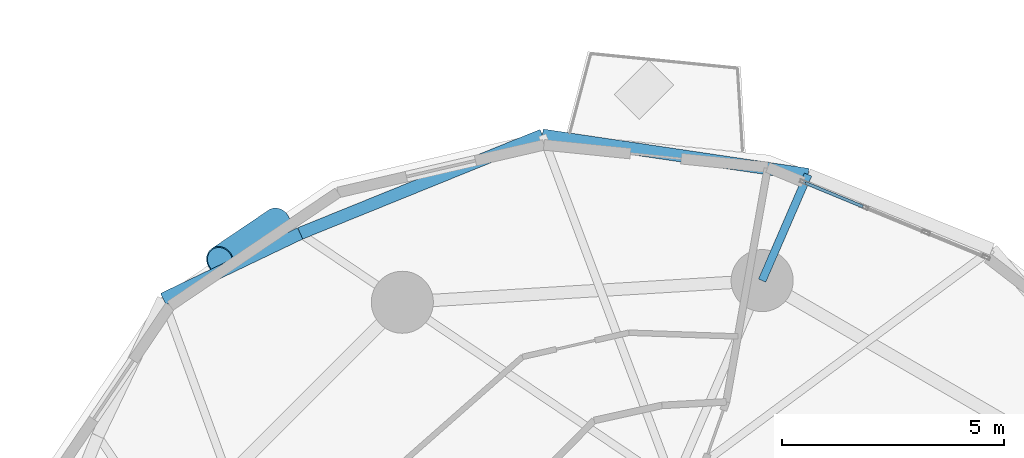
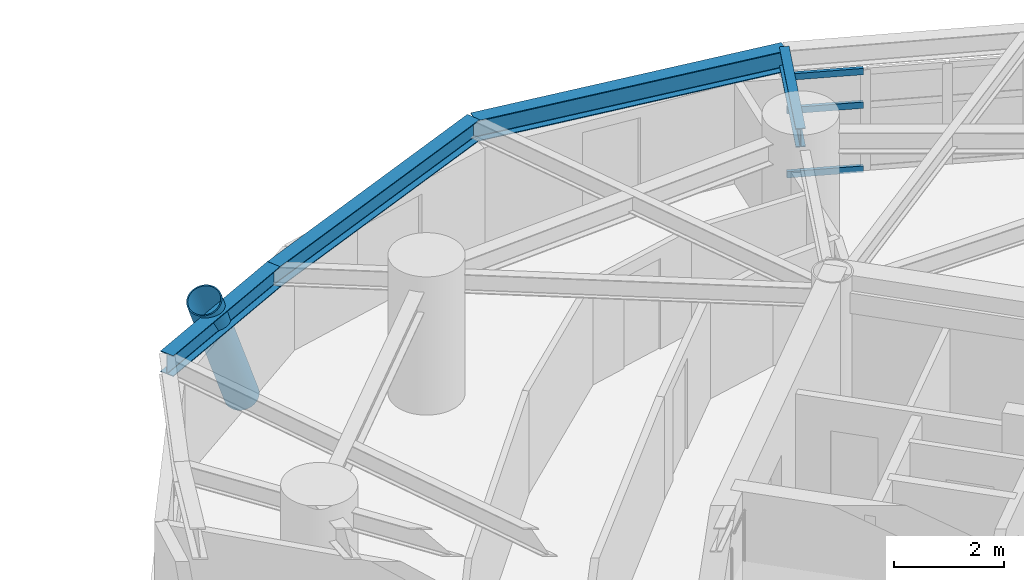
# One storey, part 6 of 19: 4 beams, 4 members, 1 element without a shape of its own.
"""IFC4 building model written with IfcOpenShell, lengths in metres."""

from ifc_helpers import new_model, si_unit, direction, frame, origin, origin_2d, place, context, subcontext, project, spatial, hollow_rectangle, hollow_circle, i_section, extrude, material, layer, layer_set, material_profile, profile_set, type_object, element, aggregate, save


model = new_model("IFC4")

# Units and contexts
model_context = context("Model", 3, precision=1e-05, world=origin(), true_north=direction((0.0, 1.0)))
body_context = subcontext(model_context, "Body", "Model", "MODEL_VIEW")
ifc_project = project(units=[si_unit("LENGTHUNIT", "METRE"), si_unit("AREAUNIT", "SQUARE_METRE"), si_unit("VOLUMEUNIT", "CUBIC_METRE"), si_unit("PLANEANGLEUNIT", "RADIAN"), si_unit("MASSUNIT", "GRAM", prefix="KILO")], contexts=[model_context])

# Site, building, storey
site_placement = place(None, origin())
site = spatial("IfcSite", under=ifc_project, at=site_placement, CompositionType="ELEMENT")
building_placement = place(site_placement, origin())
building = spatial("IfcBuilding", under=site, at=building_placement, Name="Cununo Teusaquillo Station Towers", CompositionType="ELEMENT")
storey_placement = place(building_placement, frame((0.0, 0.0, 144.0400390625)))
storey = spatial("IfcBuildingStorey", under=building, at=storey_placement, Name="L45", CompositionType="ELEMENT", Elevation=144.0400390625)

# Beams
ifc_material_1 = material(Name="Steel ASTM A572 Grade 50", Category="steel")
ifc_material_profile_1 = material_profile(ifc_material_1, i_section(OverallWidth=0.180908203125, OverallDepth=0.4169921875, WebThickness=0.010986328125, FlangeThickness=0.018310546875, FilletRadius=0.012939453125, at=origin_2d()), Name="W16X57")
ifc_profile_set_1 = profile_set([ifc_material_profile_1], Name="Steel ASTM A572 Grade 50")
beam_type_1 = type_object("IfcBeamType", Name="BM-RAD-G2", PredefinedType="BEAM", material=ifc_profile_set_1)
beam_1_placement = place(storey_placement, frame((58.291015625, 37.63525390625, 2.511474609375), z_axis=(0.397431352311, 0.917631908883, 0.0), x_axis=(-0.917631908883, 0.397431352311, 0.0)))
element("IfcBeam", 1, at=beam_1_placement, inside=storey, type_object=beam_type_1, Name="L45 Tower B Perimeter Overhang Girder 02B", PredefinedType="BEAM", context=body_context, shape_type="SweptSolid", body=[
    extrude(i_section(OverallWidth=0.180908203125, OverallDepth=0.4169921875, WebThickness=0.010986328125, FlangeThickness=0.018310546875, FilletRadius=0.012939453125, at=origin_2d()), origin(), (0.0, 0.0, 1.0), 2.607177734375),
])
ifc_material_2 = material(Name="Steel ASTM A572 Grade 50", Category="steel")
ifc_material_profile_2 = material_profile(ifc_material_2, i_section(OverallWidth=0.280029296875, OverallDepth=0.462890625, WebThickness=0.0107421875, FlangeThickness=0.017333984375, FilletRadius=0.013916015625, at=origin_2d()), Name="W18X76")
ifc_profile_set_2 = profile_set([ifc_material_profile_2], Name="Steel ASTM A572 Grade 50")
beam_type_2 = type_object("IfcBeamType", Name="BM-RING-Z2", PredefinedType="SPANDREL", material=ifc_profile_set_2)
beam_2_placement = place(storey_placement, frame((59.3271484375, 40.027587890625, 2.488525390625), z_axis=(-0.989205409176, 0.146535519435, 0.0), x_axis=(-0.146535519435, -0.989205409176, 0.0)))
element("IfcBeam", 2, at=beam_2_placement, inside=storey, type_object=beam_type_2, Name="L45 Tower B Spandrel Ring Beam 03", PredefinedType="SPANDREL", context=body_context, shape_type="SweptSolid", body=[
    extrude(i_section(OverallWidth=0.280029296875, OverallDepth=0.462890625, WebThickness=0.0107421875, FlangeThickness=0.017333984375, FilletRadius=0.013916015625, at=origin_2d()), origin(), (0.0, 0.0, 1.0), 6.0595703125),
])
beam_3_placement = place(storey_placement, frame((53.3330078125, 40.91552734375, 2.488525390625), z_axis=(-0.926667183359, -0.375882869104, 0.0), x_axis=(0.375882869104, -0.926667183359, 0.0)))
element("IfcBeam", 3, at=beam_3_placement, inside=storey, type_object=beam_type_2, Name="L45 Tower B Spandrel Ring Beam 04", PredefinedType="SPANDREL", context=body_context, shape_type="SweptSolid", body=[
    extrude(i_section(OverallWidth=0.280029296875, OverallDepth=0.462890625, WebThickness=0.0107421875, FlangeThickness=0.017333984375, FilletRadius=0.013916015625, at=origin_2d()), origin(), (0.0, 0.0, 1.0), 5.8974609375),
])
beam_4_placement = place(storey_placement, frame((47.867919921875, 38.69873046875, 2.488525390625), z_axis=(-0.902077503555, -0.431574069634, 0.0), x_axis=(0.431574069634, -0.902077503555, 0.0)))
element("IfcBeam", 4, at=beam_4_placement, inside=storey, type_object=beam_type_2, Name="L45 Tower B Spandrel Ring Beam 05", PredefinedType="SPANDREL", context=body_context, shape_type="SweptSolid", body=[
    extrude(i_section(OverallWidth=0.280029296875, OverallDepth=0.462890625, WebThickness=0.0107421875, FlangeThickness=0.017333984375, FilletRadius=0.013916015625, at=origin_2d()), origin(), (0.0, 0.0, 1.0), 3.424072265625),
])

# Curtain wall, members
ifc_material_3 = material(Name="Ceramic-fritted dark low-E double glazing", Category="glass")
ifc_layer = layer(ifc_material_3, 0.179931640625)
ifc_layer_set = layer_set([ifc_layer], Name="Ceramic-fritted dark low-E double glazing")
curtain_wall_type = type_object("IfcCurtainWallType", Name="CW-SYS-04", PredefinedType="USERDEFINED", material=ifc_layer_set)
curtain_wall_placement = place(storey_placement, origin())
curtain_wall = element("IfcCurtainWall", 5, at=curtain_wall_placement, inside=storey, type_object=curtain_wall_type, Name="L45 Tower B Facade Curtain Wall C01", ObjectType="FRITTED GLAZING", PredefinedType="USERDEFINED")
ifc_material_4 = material(Name="Anodised dark bronze aluminium EN AW-6063-T6", Category="aluminium")
ifc_material_profile_3 = material_profile(ifc_material_4, hollow_rectangle(XDim=0.070068359375, YDim=0.139892578125, WallThickness=0.00390625, at=origin_2d()), Name="CW-TRAN-70x140")
ifc_profile_set_3 = profile_set([ifc_material_profile_3], Name="Anodised dark bronze aluminium EN AW-6063-T6")
member_type_1 = type_object("IfcMemberType", Name="CWT-140", PredefinedType="USERDEFINED", material=ifc_profile_set_3)
member_1_placement = place(storey_placement, frame((59.268310546875, 39.838623046875, 0.034912109375), z_axis=(0.924529993529, -0.381109290186, 0.0), x_axis=(0.381109290186, 0.924529993529, 0.0)))
member_1 = element("IfcMember", 6, at=member_1_placement, type_object=member_type_1, Name="CW-04 transom 1.1", ObjectType="TRANSOM", PredefinedType="USERDEFINED", context=body_context, shape_type="SweptSolid", body=[
    extrude(hollow_rectangle(XDim=0.070068359375, YDim=0.139892578125, WallThickness=0.00390625, at=origin_2d()), origin(), (0.0, 0.0, 1.0), 1.400390625),
])
member_2_placement = place(storey_placement, frame((59.268310546875, 39.838623046875, 1.448974609375), z_axis=(0.924529993529, -0.381109290186, 0.0), x_axis=(0.381109290186, 0.924529993529, 0.0)))
member_2 = element("IfcMember", 7, at=member_2_placement, type_object=member_type_1, Name="CW-04 transom 1.2", ObjectType="TRANSOM", PredefinedType="USERDEFINED", context=body_context, shape_type="SweptSolid", body=[
    extrude(hollow_rectangle(XDim=0.070068359375, YDim=0.139892578125, WallThickness=0.00390625, at=origin_2d()), origin(), (0.0, 0.0, 1.0), 1.400390625),
])
member_3_placement = place(storey_placement, frame((59.268310546875, 39.838623046875, 2.19384765625), z_axis=(0.924529993529, -0.381109290186, 0.0), x_axis=(0.381109290186, 0.924529993529, 0.0)))
member_3 = element("IfcMember", 8, at=member_3_placement, type_object=member_type_1, Name="CW-04 transom 1.3", ObjectType="TRANSOM", PredefinedType="USERDEFINED", context=body_context, shape_type="SweptSolid", body=[
    extrude(hollow_rectangle(XDim=0.070068359375, YDim=0.139892578125, WallThickness=0.00390625, at=origin_2d()), origin(), (0.0, 0.0, 1.0), 1.400390625),
])
aggregate(curtain_wall, [member_1, member_2, member_3])

# Member
ifc_material_5 = material(Name="Steel EN 10025-2 S355J2", Category="steel")
ifc_material_profile_4 = material_profile(ifc_material_5, hollow_circle(Radius=0.330078125, WallThickness=0.02490234375, at=origin_2d()), Name="CHS 660x25")
ifc_profile_set_4 = profile_set([ifc_material_profile_4], Name="Steel EN 10025-2 S355J2")
member_type_2 = type_object("IfcMemberType", Name="MBR-DIAG-Z2", PredefinedType="BRACE", material=ifc_profile_set_4)
member_4_placement = place(storey_placement, frame((47.3408203125, 38.952392578125, -0.14013671875), z_axis=(-0.373637702269, -0.25250987083, 0.892543350531), x_axis=(0.559936520368, -0.828535511103, 0.0)))
element("IfcMember", 9, at=member_4_placement, inside=storey, type_object=member_type_2, Name="L45 Tower B Folded-Zigzag Diagrid Tube C04", PredefinedType="BRACE", context=body_context, shape_type="SweptSolid", body=[
    extrude(hollow_circle(Radius=0.330078125, WallThickness=0.02490234375, at=origin_2d()), origin(), (0.0, 0.0, 1.0), 3.428466796875),
])

save(model, "model.ifc")
